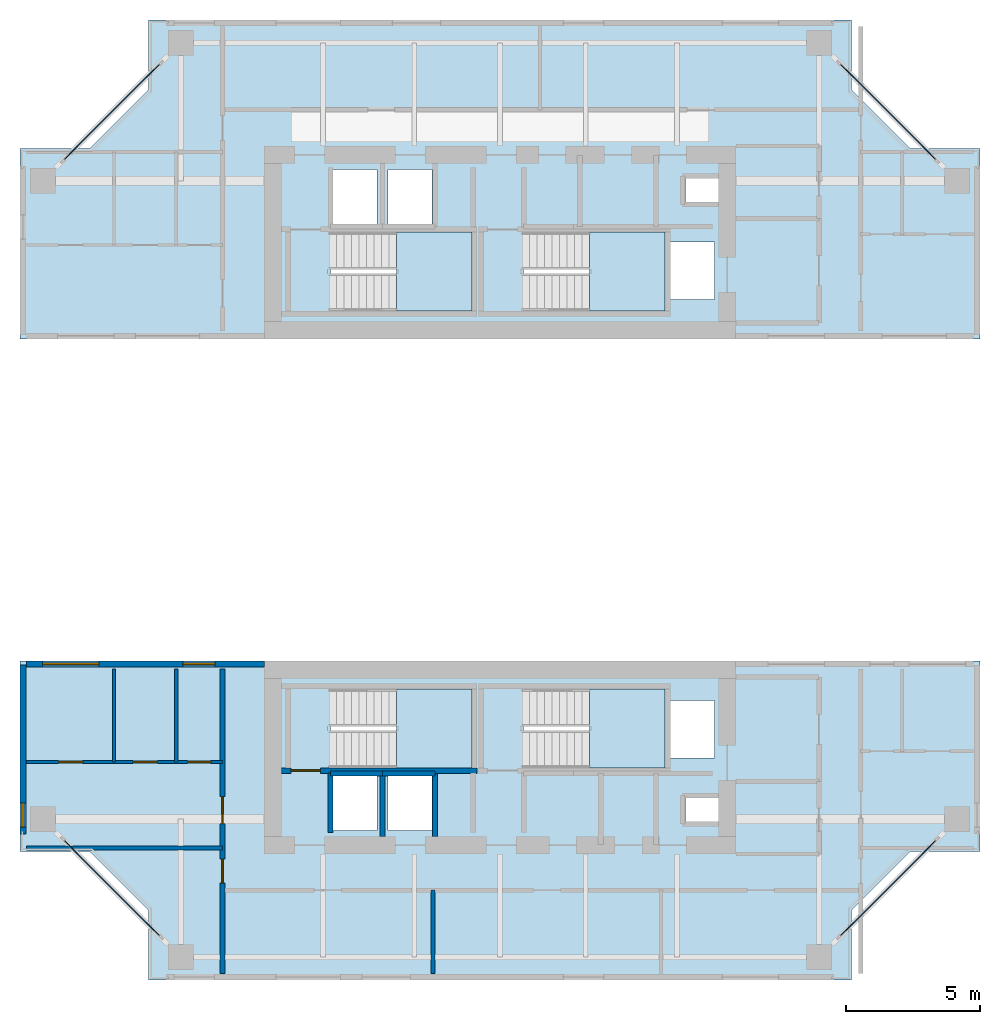
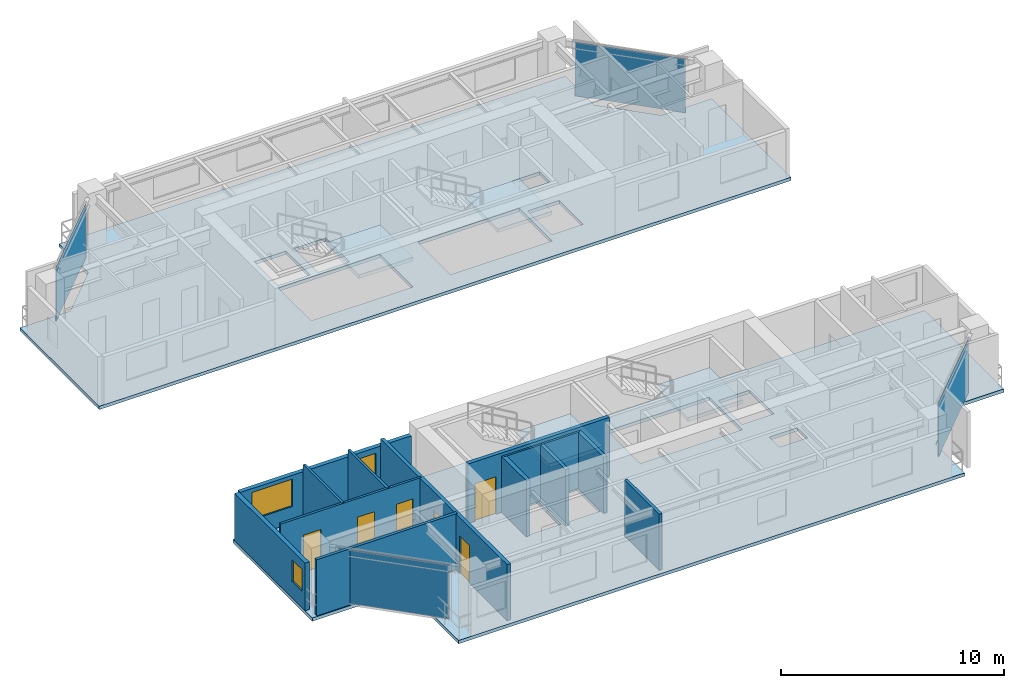
# One storey, part 6 of 12: 14 walls, 6 doors, 6 slabs, 4 plates, 3 windows, 9 openings, 8 elements without a shape of their own.
"""IFC4 building model written with IfcOpenShell, lengths in metres."""

from ifc_helpers import new_model, si_unit, direction, frame, frame_2d, origin, origin_2d, place, context, subcontext, project, spatial, polyline, rectangle, outline, extrude, source, transform, mapped, material, layer, layer_set, type_object, element, fill, aggregate, save


model = new_model("IFC4")

# Units and contexts
model_context = context("Model", 3, precision=1e-05, world=origin(), true_north=direction((0.0, 1.0)))
body_context = subcontext(model_context, "Body", "Model", "MODEL_VIEW")
ifc_project = project(units=[si_unit("LENGTHUNIT", "METRE"), si_unit("AREAUNIT", "SQUARE_METRE"), si_unit("VOLUMEUNIT", "CUBIC_METRE"), si_unit("PLANEANGLEUNIT", "RADIAN"), si_unit("MASSUNIT", "GRAM", prefix="KILO"), si_unit("THERMODYNAMICTEMPERATUREUNIT", "KELVIN"), si_unit("POWERUNIT", "WATT")], contexts=[model_context])

# Site, building, storey
site_placement = place(None, origin())
site = spatial("IfcSite", under=ifc_project, at=site_placement, CompositionType="ELEMENT")
building_placement = place(site_placement, origin())
building = spatial("IfcBuilding", under=site, at=building_placement, Name="Qiaomeng Ring Towers", CompositionType="ELEMENT")
storey_placement = place(building_placement, frame((0.0, 0.0, 160.0)))
storey = spatial("IfcBuildingStorey", under=building, at=storey_placement, Name="L46", CompositionType="ELEMENT", Elevation=160.0)

# Slabs
ifc_material_1 = material(Name="Concrete C40", Category="concrete")
ifc_layer_1 = layer(ifc_material_1, 0.179931640625, Name="Concrete C40")
ifc_layer_set_1 = layer_set([ifc_layer_1], Name="Concrete C40")
slab_type_1 = type_object("IfcSlabType", Name="STR-SL-180", PredefinedType="FLOOR", material=ifc_layer_set_1)
slab_1_placement = place(storey_placement, frame((0.0, 0.0, -0.179931640625)))
element("IfcSlab", 1, at=slab_1_placement, inside=storey, type_object=slab_type_1, Name="L46 Tower 1 North Portal Wing Slab", PredefinedType="FLOOR", context=body_context, shape_type="SweptSolid", body=[
    extrude(outline(polyline([(1.10009765625, 36.10009765625), (3.699951171875, 36.10009765625), (5.89990234375, 38.300048828125), (5.89990234375, 40.89990234375), (32.10009765625, 40.89990234375), (32.10009765625, 38.300048828125), (34.300048828125, 36.10009765625), (36.89990234375, 36.10009765625), (36.89990234375, 29.0), (1.10009765625, 29.0), (1.10009765625, 36.10009765625)]), holes=[polyline([(17.949951171875, 30.050048828125), (12.679931640625, 30.050048828125), (12.679931640625, 32.989990234375), (17.949951171875, 32.989990234375), (17.949951171875, 30.050048828125)]), polyline([(19.8798828125, 30.050048828125), (19.8798828125, 32.989990234375), (25.14990234375, 32.989990234375), (25.14990234375, 30.050048828125), (19.8798828125, 30.050048828125)]), polyline([(25.360107421875, 30.47998046875), (25.360107421875, 32.6201171875), (27.0, 32.6201171875), (27.0, 30.47998046875), (25.360107421875, 30.47998046875)]), polyline([(14.419921875, 33.179931640625), (12.780029296875, 33.179931640625), (12.780029296875, 35.320068359375), (14.419921875, 35.320068359375), (14.419921875, 33.179931640625)]), polyline([(14.830078125, 33.179931640625), (14.830078125, 35.320068359375), (16.469970703125, 35.320068359375), (16.469970703125, 33.179931640625), (14.830078125, 33.179931640625)]), polyline([(25.919921875, 34.10009765625), (25.919921875, 35.0), (27.360107421875, 35.0), (27.360107421875, 34.10009765625), (25.919921875, 34.10009765625)])]), origin(), (0.0, 0.0, 1.0), 0.179931640625),
])
slab_2_placement = place(storey_placement, frame((0.0, 0.0, -0.179931640625)))
element("IfcSlab", 2, at=slab_2_placement, inside=storey, type_object=slab_type_1, Name="L46 Tower 1 South Portal Wing Slab", PredefinedType="FLOOR", context=body_context, shape_type="SweptSolid", body=[
    extrude(outline(polyline([(36.89990234375, 9.89990234375), (34.300048828125, 9.89990234375), (32.10009765625, 7.699951171875), (32.10009765625, 5.10009765625), (5.89990234375, 5.10009765625), (5.89990234375, 7.699951171875), (3.699951171875, 9.89990234375), (1.10009765625, 9.89990234375), (1.10009765625, 17.0), (36.89990234375, 17.0), (36.89990234375, 9.89990234375)]), holes=[polyline([(27.360107421875, 11.0), (25.919921875, 11.0), (25.919921875, 11.89990234375), (27.360107421875, 11.89990234375), (27.360107421875, 11.0)]), polyline([(12.780029296875, 10.679931640625), (12.780029296875, 12.820068359375), (14.419921875, 12.820068359375), (14.419921875, 10.679931640625), (12.780029296875, 10.679931640625)]), polyline([(14.830078125, 10.679931640625), (14.830078125, 12.820068359375), (16.469970703125, 12.820068359375), (16.469970703125, 10.679931640625), (14.830078125, 10.679931640625)]), polyline([(27.0, 13.3798828125), (25.360107421875, 13.3798828125), (25.360107421875, 15.52001953125), (27.0, 15.52001953125), (27.0, 13.3798828125)]), polyline([(12.679931640625, 13.010009765625), (12.679931640625, 15.949951171875), (17.949951171875, 15.949951171875), (17.949951171875, 13.010009765625), (12.679931640625, 13.010009765625)]), polyline([(19.8798828125, 13.010009765625), (19.8798828125, 15.949951171875), (25.14990234375, 15.949951171875), (25.14990234375, 13.010009765625), (19.8798828125, 13.010009765625)])]), origin(), (0.0, 0.0, 1.0), 0.179931640625),
])

# Stair, slab
ifc_material_2 = material(Name="Precast concrete C40", Category="concrete")
stair_type = type_object("IfcStairType", Name="ARC-ST-325", PredefinedType="HALF_TURN_STAIR", material=ifc_material_2)
stair_1_placement = place(storey_placement, origin())
stair_1 = element("IfcStair", 3, at=stair_1_placement, inside=storey, type_object=stair_type, Name="L46 Tower 1 North Stair 1", PredefinedType="HALF_TURN_STAIR")
ifc_layer_2 = layer(ifc_material_1, 0.199951171875, Name="Concrete C40")
ifc_layer_set_2 = layer_set([ifc_layer_2], Name="Concrete C40")
slab_type_2 = type_object("IfcSlabType", Name="STR-SL-LANDING", PredefinedType="LANDING", material=ifc_layer_set_2)
slab_3_placement = place(storey_placement, frame((0.0, 0.0, 1.425048828125)))
slab_3 = element("IfcSlab", 4, at=slab_3_placement, type_object=slab_type_2, Name="ST1 landing 1", PredefinedType="LANDING", context=body_context, shape_type="SweptSolid", body=[
    extrude(outline(polyline([(15.139892578125, 30.050048828125), (17.949951171875, 30.050048828125), (17.949951171875, 32.989990234375), (15.139892578125, 32.989990234375), (15.139892578125, 30.050048828125)])), origin(), (0.0, 0.0, 1.0), 0.199951171875),
])
aggregate(stair_1, [slab_3])

stair_2_placement = place(storey_placement, origin())
stair_2 = element("IfcStair", 5, at=stair_2_placement, inside=storey, type_object=stair_type, Name="L46 Tower 1 North Stair 2", PredefinedType="HALF_TURN_STAIR")
slab_4_placement = place(storey_placement, frame((0.0, 0.0, 1.425048828125)))
slab_4 = element("IfcSlab", 6, at=slab_4_placement, type_object=slab_type_2, Name="ST2 landing 1", PredefinedType="LANDING", context=body_context, shape_type="SweptSolid", body=[
    extrude(outline(polyline([(22.340087890625, 30.050048828125), (25.14990234375, 30.050048828125), (25.14990234375, 32.989990234375), (22.340087890625, 32.989990234375), (22.340087890625, 30.050048828125)])), origin(), (0.0, 0.0, 1.0), 0.199951171875),
])
aggregate(stair_2, [slab_4])

stair_3_placement = place(storey_placement, origin())
stair_3 = element("IfcStair", 7, at=stair_3_placement, inside=storey, type_object=stair_type, Name="L46 Tower 1 South Stair 3", PredefinedType="HALF_TURN_STAIR")
slab_5_placement = place(storey_placement, frame((0.0, 0.0, 1.425048828125)))
slab_5 = element("IfcSlab", 8, at=slab_5_placement, type_object=slab_type_2, Name="ST3 landing 1", PredefinedType="LANDING", context=body_context, shape_type="SweptSolid", body=[
    extrude(outline(polyline([(15.139892578125, 13.010009765625), (17.949951171875, 13.010009765625), (17.949951171875, 15.949951171875), (15.139892578125, 15.949951171875), (15.139892578125, 13.010009765625)])), origin(), (0.0, 0.0, 1.0), 0.199951171875),
])
aggregate(stair_3, [slab_5])

stair_4_placement = place(storey_placement, origin())
stair_4 = element("IfcStair", 9, at=stair_4_placement, inside=storey, type_object=stair_type, Name="L46 Tower 1 South Stair 4", PredefinedType="HALF_TURN_STAIR")
slab_6_placement = place(storey_placement, frame((0.0, 0.0, 1.425048828125)))
slab_6 = element("IfcSlab", 10, at=slab_6_placement, type_object=slab_type_2, Name="ST4 landing 1", PredefinedType="LANDING", context=body_context, shape_type="SweptSolid", body=[
    extrude(outline(polyline([(22.340087890625, 13.010009765625), (25.14990234375, 13.010009765625), (25.14990234375, 15.949951171875), (22.340087890625, 15.949951171875), (22.340087890625, 13.010009765625)])), origin(), (0.0, 0.0, 1.0), 0.199951171875),
])
aggregate(stair_4, [slab_6])

# Curtain wall, plate
ifc_material_3 = material(Name="Fluorocarbon dark-grey aluminium", Category="aluminium")
ifc_layer_3 = layer(ifc_material_3, 0.14990234375, Name="Fluorocarbon dark-grey aluminium")
ifc_layer_set_3 = layer_set([ifc_layer_3], Name="Fluorocarbon dark-grey aluminium")
curtain_wall_type = type_object("IfcCurtainWallType", Name="ARC-CW-3", PredefinedType="NOTDEFINED", material=ifc_layer_set_3)
curtain_wall_1_placement = place(storey_placement, origin())
curtain_wall_1 = element("IfcCurtainWall", 11, at=curtain_wall_1_placement, inside=storey, type_object=curtain_wall_type, Name="L46 Curtain Wall CW3", PredefinedType="NOTDEFINED")
ifc_material_4 = material(Name="Low-E dark-grey laminated double glazing", Category="glass")
ifc_layer_4 = layer(ifc_material_4, 0.028076171875, Name="Low-E dark-grey laminated double glazing")
ifc_layer_set_4 = layer_set([ifc_layer_4], Name="Low-E dark-grey laminated double glazing")
plate_type = type_object("IfcPlateType", Name="ARC-CWP-DARK", PredefinedType="CURTAIN_PANEL", material=ifc_layer_set_4)
shared_shape_1 = source(origin(), body_context, "Body", "SweptSolid", [
    extrude(rectangle(XDim=5.120849609375, YDim=0.028076171875, at=origin_2d()), origin(), (0.0, 0.0, 1.0), 2.93994140625),
])
plate_1_placement = place(storey_placement, frame((33.47509765625, 8.52490234375, 0.06494140625), z_axis=(0.0, 0.0, 1.0), x_axis=(0.707106781187, 0.707106781187, 0.0)))
plate_1 = element("IfcPlate", 12, at=plate_1_placement, type_object=plate_type, Name="CW3 panel 1.1", PredefinedType="CURTAIN_PANEL", context=body_context, shape_type="MappedRepresentation", body=[
    mapped(shared_shape_1, transform((0.0, 0.0, 0.0), x_axis=(1.0, 0.0, 0.0), y_axis=(0.0, 1.0, 0.0), z_axis=(0.0, 0.0, 1.0), scale=1.0)),
])
aggregate(curtain_wall_1, [plate_1])

curtain_wall_2_placement = place(storey_placement, origin())
curtain_wall_2 = element("IfcCurtainWall", 13, at=curtain_wall_2_placement, inside=storey, type_object=curtain_wall_type, Name="L46 Curtain Wall CW3", PredefinedType="NOTDEFINED")
plate_2_placement = place(storey_placement, frame((33.47509765625, 37.47509765625, 0.06494140625), z_axis=(0.0, 0.0, 1.0), x_axis=(-0.707106781187, 0.707106781187, 0.0)))
plate_2 = element("IfcPlate", 14, at=plate_2_placement, type_object=plate_type, Name="CW3 panel 1.1", PredefinedType="CURTAIN_PANEL", context=body_context, shape_type="MappedRepresentation", body=[
    mapped(shared_shape_1, transform((0.0, 0.0, 0.0), x_axis=(1.0, 0.0, 0.0), y_axis=(0.0, 1.0, 0.0), z_axis=(0.0, 0.0, 1.0), scale=1.0)),
])
aggregate(curtain_wall_2, [plate_2])

curtain_wall_3_placement = place(storey_placement, origin())
curtain_wall_3 = element("IfcCurtainWall", 15, at=curtain_wall_3_placement, inside=storey, type_object=curtain_wall_type, Name="L46 Curtain Wall CW3", PredefinedType="NOTDEFINED")
plate_3_placement = place(storey_placement, frame((4.52490234375, 37.47509765625, 0.06494140625), z_axis=(0.0, 0.0, 1.0), x_axis=(-0.707106781187, -0.707106781187, 0.0)))
plate_3 = element("IfcPlate", 16, at=plate_3_placement, type_object=plate_type, Name="CW3 panel 1.1", PredefinedType="CURTAIN_PANEL", context=body_context, shape_type="MappedRepresentation", body=[
    mapped(shared_shape_1, transform((0.0, 0.0, 0.0), x_axis=(1.0, 0.0, 0.0), y_axis=(0.0, 1.0, 0.0), z_axis=(0.0, 0.0, 1.0), scale=1.0)),
])
aggregate(curtain_wall_3, [plate_3])

curtain_wall_4_placement = place(storey_placement, origin())
curtain_wall_4 = element("IfcCurtainWall", 17, at=curtain_wall_4_placement, inside=storey, type_object=curtain_wall_type, Name="L46 Curtain Wall CW3", PredefinedType="NOTDEFINED")
plate_4_placement = place(storey_placement, frame((4.52490234375, 8.52490234375, 0.06494140625), z_axis=(0.0, 0.0, 1.0), x_axis=(0.707106781187, -0.707106781187, 0.0)))
plate_4 = element("IfcPlate", 18, at=plate_4_placement, type_object=plate_type, Name="CW3 panel 1.1", PredefinedType="CURTAIN_PANEL", context=body_context, shape_type="MappedRepresentation", body=[
    mapped(shared_shape_1, transform((0.0, 0.0, 0.0), x_axis=(1.0, 0.0, 0.0), y_axis=(0.0, 1.0, 0.0), z_axis=(0.0, 0.0, 1.0), scale=1.0)),
])
aggregate(curtain_wall_4, [plate_4])

# Wall, openings, windows
ifc_layer_5 = layer(ifc_material_2, 0.219970703125, Name="Precast concrete C40")
ifc_layer_set_5 = layer_set([ifc_layer_5], Name="Precast concrete C40")
wall_type_1 = type_object("IfcWallType", Name="ARC-WL-EW2", PredefinedType="STANDARD", material=ifc_layer_set_5)
wall_1_placement = place(storey_placement, frame((1.35009765625, 16.889892578125, 0.0), z_axis=(0.0, 0.0, 1.0), x_axis=(1.0, 0.0, 0.0)))
wall_1 = element("IfcWall", 19, at=wall_1_placement, inside=storey, type_object=wall_type_1, Name="L46 Portal Wing Wall SWING-W", PredefinedType="STANDARD", context=body_context, shape_type="SweptSolid", body=[
    extrude(rectangle(XDim=8.869873046875, YDim=0.219970703125, at=frame_2d((4.43505859375, 0.0))), origin(), (0.0, 0.0, 1.0), 2.610107421875),
])
opening_1_placement = place(wall_1_placement, frame((0.594970703125, 0.0, 0.89990234375)))
opening_1 = element("IfcOpeningElement", 20, at=opening_1_placement, cuts=wall_1, Name="Opening WN4", PredefinedType="OPENING", context=body_context, shape_type="SweptSolid", body=[
    extrude(rectangle(XDim=2.10009765625, YDim=1.5, at=frame_2d((1.050048828125, 0.75))), frame((0.0, 0.119873046875, 0.0), z_axis=(0.0, -1.0, 0.0), x_axis=(1.0, 0.0, 0.0)), (0.0, 0.0, 1.0), 0.239990234375),
])
opening_2_placement = place(wall_1_placement, frame((5.824951171875, 0.0, 0.89990234375)))
opening_2 = element("IfcOpeningElement", 21, at=opening_2_placement, cuts=wall_1, Name="Opening WN3", PredefinedType="OPENING", context=body_context, shape_type="SweptSolid", body=[
    extrude(rectangle(XDim=1.199951171875, YDim=1.39990234375, at=frame_2d((0.60009765625, 0.699951171875))), frame((0.0, 0.119873046875, 0.0), z_axis=(0.0, -1.0, 0.0), x_axis=(1.0, 0.0, 0.0)), (0.0, 0.0, 1.0), 0.239990234375),
])
window_type_1 = type_object("IfcWindowType", Name="ARC-WN-4", PartitioningType="TRIPLE_PANEL_VERTICAL", PredefinedType="WINDOW", material=ifc_material_4)
shared_shape_2 = source(origin(), body_context, "Body", "SweptSolid", [
    extrude(rectangle(XDim=2.10009765625, YDim=1.5, at=frame_2d((1.050048828125, 0.75))), frame((0.0, 0.030029296875, 0.0), z_axis=(0.0, -1.0, 0.0), x_axis=(1.0, 0.0, 0.0)), (0.0, 0.0, 1.0), 0.06005859375),
])
window_1_placement = place(opening_1_placement, origin())
window_1 = element("IfcWindow", 22, at=window_1_placement, inside=storey, type_object=window_type_1, Name="L46 Exterior Window WN4", OverallHeight=1.5, OverallWidth=2.10009765625, PartitioningType="TRIPLE_PANEL_VERTICAL", PredefinedType="WINDOW", context=body_context, shape_type="MappedRepresentation", body=[
    mapped(shared_shape_2, transform((0.0, 0.0, 0.0), x_axis=(1.0, 0.0, 0.0), y_axis=(0.0, 1.0, 0.0), z_axis=(0.0, 0.0, 1.0), scale=1.0)),
])
fill(opening_1, window_1)
window_type_2 = type_object("IfcWindowType", Name="ARC-WN-3", PartitioningType="SINGLE_PANEL", PredefinedType="WINDOW", material=ifc_material_4)
shared_shape_3 = source(origin(), body_context, "Body", "SweptSolid", [
    extrude(rectangle(XDim=1.199951171875, YDim=1.39990234375, at=frame_2d((0.60009765625, 0.699951171875))), frame((0.0, 0.030029296875, 0.0), z_axis=(0.0, -1.0, 0.0), x_axis=(1.0, 0.0, 0.0)), (0.0, 0.0, 1.0), 0.06005859375),
])
window_2_placement = place(opening_2_placement, origin())
window_2 = element("IfcWindow", 23, at=window_2_placement, inside=storey, type_object=window_type_2, Name="L46 Exterior Window WN6", OverallHeight=1.39990234375, OverallWidth=1.199951171875, PartitioningType="TRIPLE_PANEL_VERTICAL", PredefinedType="WINDOW", context=body_context, shape_type="MappedRepresentation", body=[
    mapped(shared_shape_3, transform((0.0, 0.0, 0.0), x_axis=(1.0, 0.0, 0.0), y_axis=(0.0, 1.0, 0.0), z_axis=(0.0, 0.0, 1.0), scale=1.0)),
])
fill(opening_2, window_2)

# Wall, opening, window
wall_2_placement = place(storey_placement, frame((1.2099609375, 10.550048828125, 0.0), z_axis=(0.0, 0.0, 1.0), x_axis=(0.0, 1.0, 0.0)))
wall_2 = element("IfcWall", 24, at=wall_2_placement, inside=storey, type_object=wall_type_1, Name="L46 Portal Wing Side Wall SWING-WL", PredefinedType="STANDARD", context=body_context, shape_type="SweptSolid", body=[
    extrude(rectangle(XDim=6.300048828125, YDim=0.219970703125, at=frame_2d((3.14990234375, 0.0))), origin(), (0.0, 0.0, 1.0), 2.610107421875),
])
opening_3_placement = place(wall_2_placement, frame((0.25, 0.0, 0.89990234375)))
opening_3 = element("IfcOpeningElement", 25, at=opening_3_placement, cuts=wall_2, Name="Opening WN5", PredefinedType="OPENING", context=body_context, shape_type="SweptSolid", body=[
    extrude(rectangle(XDim=0.89990234375, YDim=1.199951171875, at=frame_2d((0.449951171875, 0.60009765625))), frame((0.0, 0.119873046875, 0.0), z_axis=(0.0, -1.0, 0.0), x_axis=(1.0, 0.0, 0.0)), (0.0, 0.0, 1.0), 0.239990234375),
])
window_type_3 = type_object("IfcWindowType", Name="ARC-WN-5", PartitioningType="SINGLE_PANEL", PredefinedType="WINDOW", material=ifc_material_4)
shared_shape_4 = source(origin(), body_context, "Body", "SweptSolid", [
    extrude(rectangle(XDim=0.89990234375, YDim=1.199951171875, at=frame_2d((0.449951171875, 0.60009765625))), frame((0.0, 0.030029296875, 0.0), z_axis=(0.0, -1.0, 0.0), x_axis=(1.0, 0.0, 0.0)), (0.0, 0.0, 1.0), 0.06005859375),
])
window_3_placement = place(opening_3_placement, origin())
window_3 = element("IfcWindow", 26, at=window_3_placement, inside=storey, type_object=window_type_3, Name="L46 Exterior Window WN5", OverallHeight=1.199951171875, OverallWidth=0.89990234375, PartitioningType="SINGLE_PANEL", PredefinedType="WINDOW", context=body_context, shape_type="MappedRepresentation", body=[
    mapped(shared_shape_4, transform((0.0, 0.0, 0.0), x_axis=(1.0, 0.0, 0.0), y_axis=(0.0, 1.0, 0.0), z_axis=(0.0, 0.0, 1.0), scale=1.0)),
])
fill(opening_3, window_3)

# Wall
ifc_material_5 = material(Name="Autoclaved aerated concrete block", Category="concrete")
ifc_layer_6 = layer(ifc_material_5, 0.199951171875, Name="Autoclaved aerated concrete block")
ifc_layer_set_6 = layer_set([ifc_layer_6], Name="Autoclaved aerated concrete block")
wall_type_2 = type_object("IfcWallType", Name="ARC-WL-PW1", PredefinedType="PARTITIONING", material=ifc_layer_set_6)
wall_3_placement = place(storey_placement, frame((12.679931640625, 10.60009765625, 0.0), z_axis=(0.0, 0.0, 1.0), x_axis=(0.0, 1.0, 0.0)))
element("IfcWall", 27, at=wall_3_placement, inside=storey, type_object=wall_type_2, Name="L46 Interior Wall PW1", PredefinedType="PARTITIONING", context=body_context, shape_type="SweptSolid", body=[
    extrude(rectangle(XDim=2.2099609375, YDim=0.199951171875, at=frame_2d((1.10498046875, 0.0))), origin(), (0.0, 0.0, 1.0), 3.070068359375),
])

# Wall, openings, doors
ifc_layer_7 = layer(ifc_material_5, 0.179931640625, Name="Autoclaved aerated concrete block")
ifc_layer_set_7 = layer_set([ifc_layer_7], Name="Autoclaved aerated concrete block")
wall_type_3 = type_object("IfcWallType", Name="ARC-WL-PW2", PredefinedType="PARTITIONING", material=ifc_layer_set_7)
wall_4_placement = place(storey_placement, frame((8.64990234375, 5.35009765625, 0.0), z_axis=(0.0, 0.0, 1.0), x_axis=(0.0, 1.0, 0.0)))
wall_4 = element("IfcWall", 28, at=wall_4_placement, inside=storey, type_object=wall_type_3, Name="L46 Interior Wall PW2", PredefinedType="PARTITIONING", context=body_context, shape_type="SweptSolid", body=[
    extrude(rectangle(XDim=11.349853515625, YDim=0.179931640625, at=frame_2d((5.6748046875, 0.0))), origin(), (0.0, 0.0, 1.0), 3.070068359375),
])
opening_4_placement = place(wall_4_placement, frame((3.360107421875, 0.0, 0.0)))
opening_4 = element("IfcOpeningElement", 29, at=opening_4_placement, cuts=wall_4, Name="Opening ID1", PredefinedType="OPENING", context=body_context, shape_type="SweptSolid", body=[
    extrude(rectangle(XDim=0.89990234375, YDim=2.050048828125, at=frame_2d((0.449951171875, 1.02490234375))), frame((0.0, 0.099853515625, 0.0), z_axis=(0.0, -1.0, 0.0), x_axis=(1.0, 0.0, 0.0)), (0.0, 0.0, 1.0), 0.199951171875),
])
opening_5_placement = place(wall_4_placement, frame((5.5849609375, 0.0, 0.0)))
opening_5 = element("IfcOpeningElement", 30, at=opening_5_placement, cuts=wall_4, Name="Opening FD4", PredefinedType="OPENING", context=body_context, shape_type="SweptSolid", body=[
    extrude(rectangle(XDim=1.0, YDim=2.050048828125, at=frame_2d((0.5, 1.02490234375))), frame((0.0, 0.099853515625, 0.0), z_axis=(0.0, -1.0, 0.0), x_axis=(1.0, 0.0, 0.0)), (0.0, 0.0, 1.0), 0.199951171875),
])
ifc_material_6 = material(Name="Engineered fire-rated oak timber", Category="wood")
door_type_1 = type_object("IfcDoorType", Name="ARC-DR-FD4", OperationType="NOTDEFINED", PredefinedType="DOOR", material=ifc_material_6)
shared_shape_5 = source(origin(), body_context, "Body", "SweptSolid", [
    extrude(rectangle(XDim=1.0, YDim=2.050048828125, at=frame_2d((0.5, 1.02490234375))), frame((0.0, 0.02490234375, 0.0), z_axis=(0.0, -1.0, 0.0), x_axis=(1.0, 0.0, 0.0)), (0.0, 0.0, 1.0), 0.050048828125),
])
door_1_placement = place(opening_5_placement, origin())
door_1 = element("IfcDoor", 31, at=door_1_placement, inside=storey, type_object=door_type_1, Name="L46 Door FD4", OperationType="SINGLE_SWING_LEFT", OverallHeight=2.050048828125, OverallWidth=1.0, PredefinedType="DOOR", context=body_context, shape_type="MappedRepresentation", body=[
    mapped(shared_shape_5, transform((0.0, 0.0, 0.0), x_axis=(1.0, 0.0, 0.0), y_axis=(0.0, 1.0, 0.0), z_axis=(0.0, 0.0, 1.0), scale=1.0)),
])
fill(opening_5, door_1)
ifc_material_7 = material(Name="Engineered oak timber", Category="wood")
door_type_2 = type_object("IfcDoorType", Name="ARC-DR-ID1", OperationType="NOTDEFINED", PredefinedType="DOOR", material=ifc_material_7)
shared_shape_6 = source(origin(), body_context, "Body", "SweptSolid", [
    extrude(rectangle(XDim=0.89990234375, YDim=2.050048828125, at=frame_2d((0.449951171875, 1.02490234375))), frame((0.0, 0.02490234375, 0.0), z_axis=(0.0, -1.0, 0.0), x_axis=(1.0, 0.0, 0.0)), (0.0, 0.0, 1.0), 0.050048828125),
])
door_2_placement = place(opening_4_placement, origin())
door_2 = element("IfcDoor", 32, at=door_2_placement, inside=storey, type_object=door_type_2, Name="L46 Door ID1", OperationType="SINGLE_SWING_RIGHT", OverallHeight=2.050048828125, OverallWidth=0.89990234375, PredefinedType="DOOR", context=body_context, shape_type="MappedRepresentation", body=[
    mapped(shared_shape_6, transform((0.0, 0.0, 0.0), x_axis=(1.0, 0.0, 0.0), y_axis=(0.0, 1.0, 0.0), z_axis=(0.0, 0.0, 1.0), scale=1.0)),
])
fill(opening_4, door_2)

# Walls
ifc_material_8 = material(Name="Gypsum fireboard steel-stud partition", Category="steel")
ifc_layer_8 = layer(ifc_material_8, 0.14990234375, Name="Gypsum fireboard steel-stud partition")
ifc_layer_set_8 = layer_set([ifc_layer_8], Name="Gypsum fireboard steel-stud partition")
wall_type_4 = type_object("IfcWallType", Name="ARC-WL-PW3", PredefinedType="PARTITIONING", material=ifc_layer_set_8)
wall_5_placement = place(storey_placement, frame((1.35009765625, 10.02001953125, 0.0), z_axis=(0.0, 0.0, 1.0), x_axis=(1.0, 0.0, 0.0)))
element("IfcWall", 33, at=wall_5_placement, inside=storey, type_object=wall_type_4, Name="L46 Interior Wall PW3", PredefinedType="PARTITIONING", context=body_context, shape_type="SweptSolid", body=[
    extrude(rectangle(XDim=7.2998046875, YDim=0.14990234375, at=frame_2d((3.64990234375, 0.0))), origin(), (0.0, 0.0, 1.0), 3.070068359375),
])
wall_6_placement = place(storey_placement, frame((16.5, 5.35009765625, 0.0), z_axis=(0.0, 0.0, 1.0), x_axis=(0.0, 1.0, 0.0)))
element("IfcWall", 34, at=wall_6_placement, inside=storey, type_object=wall_type_4, Name="L46 Interior Wall PW3", PredefinedType="PARTITIONING", context=body_context, shape_type="SweptSolid", body=[
    extrude(rectangle(XDim=3.099853515625, YDim=0.14990234375, at=frame_2d((1.5498046875, 0.0))), origin(), (0.0, 0.0, 1.0), 3.070068359375),
])

# Wall, openings, doors
ifc_material_9 = material(Name="Moisture-resistant gypsum steel-stud partition", Category="steel")
ifc_layer_9 = layer(ifc_material_9, 0.1201171875, Name="Moisture-resistant gypsum steel-stud partition")
ifc_layer_set_9 = layer_set([ifc_layer_9], Name="Moisture-resistant gypsum steel-stud partition")
wall_type_5 = type_object("IfcWallType", Name="ARC-WL-PW4", PredefinedType="PLUMBINGWALL", material=ifc_layer_set_9)
wall_7_placement = place(storey_placement, frame((1.35009765625, 13.22998046875, 0.0), z_axis=(0.0, 0.0, 1.0), x_axis=(1.0, 0.0, 0.0)))
wall_7 = element("IfcWall", 35, at=wall_7_placement, inside=storey, type_object=wall_type_5, Name="L46 Interior Wall PW4", PredefinedType="PLUMBINGWALL", context=body_context, shape_type="SweptSolid", body=[
    extrude(rectangle(XDim=7.2998046875, YDim=0.1201171875, at=frame_2d((3.64990234375, 0.0))), origin(), (0.0, 0.0, 1.0), 3.070068359375),
])
opening_6_placement = place(wall_7_placement, frame((1.18994140625, 0.0, 0.0)))
opening_6 = element("IfcOpeningElement", 36, at=opening_6_placement, cuts=wall_7, Name="Opening ID1", PredefinedType="OPENING", context=body_context, shape_type="SweptSolid", body=[
    extrude(rectangle(XDim=0.89990234375, YDim=2.050048828125, at=frame_2d((0.449951171875, 1.02490234375))), frame((0.0, 0.070068359375, 0.0), z_axis=(0.0, -1.0, 0.0), x_axis=(1.0, 0.0, 0.0)), (0.0, 0.0, 1.0), 0.14013671875),
])
opening_7_placement = place(wall_7_placement, frame((3.969970703125, 0.0, 0.0)))
opening_7 = element("IfcOpeningElement", 37, at=opening_7_placement, cuts=wall_7, Name="Opening ID1", PredefinedType="OPENING", context=body_context, shape_type="SweptSolid", body=[
    extrude(rectangle(XDim=0.89990234375, YDim=2.050048828125, at=frame_2d((0.449951171875, 1.02490234375))), frame((0.0, 0.070068359375, 0.0), z_axis=(0.0, -1.0, 0.0), x_axis=(1.0, 0.0, 0.0)), (0.0, 0.0, 1.0), 0.14013671875),
])
opening_8_placement = place(wall_7_placement, frame((6.0048828125, 0.0, 0.0)))
opening_8 = element("IfcOpeningElement", 38, at=opening_8_placement, cuts=wall_7, Name="Opening ID2", PredefinedType="OPENING", context=body_context, shape_type="SweptSolid", body=[
    extrude(rectangle(XDim=0.85009765625, YDim=2.050048828125, at=frame_2d((0.425048828125, 1.02490234375))), frame((0.0, 0.070068359375, 0.0), z_axis=(0.0, -1.0, 0.0), x_axis=(1.0, 0.0, 0.0)), (0.0, 0.0, 1.0), 0.14013671875),
])
ifc_material_10 = material(Name="Moisture-resistant engineered timber", Category="wood")
door_type_3 = type_object("IfcDoorType", Name="ARC-DR-ID2", OperationType="NOTDEFINED", PredefinedType="DOOR", material=ifc_material_10)
shared_shape_7 = source(origin(), body_context, "Body", "SweptSolid", [
    extrude(rectangle(XDim=0.85009765625, YDim=2.050048828125, at=frame_2d((0.425048828125, 1.02490234375))), frame((0.0, 0.02490234375, 0.0), z_axis=(0.0, -1.0, 0.0), x_axis=(1.0, 0.0, 0.0)), (0.0, 0.0, 1.0), 0.050048828125),
])
door_3_placement = place(opening_8_placement, origin())
door_3 = element("IfcDoor", 39, at=door_3_placement, inside=storey, type_object=door_type_3, Name="L46 Door ID2", OperationType="SINGLE_SWING_LEFT", OverallHeight=2.050048828125, OverallWidth=0.85009765625, PredefinedType="DOOR", context=body_context, shape_type="MappedRepresentation", body=[
    mapped(shared_shape_7, transform((0.0, 0.0, 0.0), x_axis=(1.0, 0.0, 0.0), y_axis=(0.0, 1.0, 0.0), z_axis=(0.0, 0.0, 1.0), scale=1.0)),
])
fill(opening_8, door_3)
door_4_placement = place(opening_6_placement, origin())
door_4 = element("IfcDoor", 40, at=door_4_placement, inside=storey, type_object=door_type_2, Name="L46 Door ID1", OperationType="SINGLE_SWING_LEFT", OverallHeight=2.050048828125, OverallWidth=0.89990234375, PredefinedType="DOOR", context=body_context, shape_type="MappedRepresentation", body=[
    mapped(shared_shape_6, transform((0.0, 0.0, 0.0), x_axis=(1.0, 0.0, 0.0), y_axis=(0.0, 1.0, 0.0), z_axis=(0.0, 0.0, 1.0), scale=1.0)),
])
fill(opening_6, door_4)
door_5_placement = place(opening_7_placement, origin())
door_5 = element("IfcDoor", 41, at=door_5_placement, inside=storey, type_object=door_type_2, Name="L46 Door ID1", OperationType="SINGLE_SWING_RIGHT", OverallHeight=2.050048828125, OverallWidth=0.89990234375, PredefinedType="DOOR", context=body_context, shape_type="MappedRepresentation", body=[
    mapped(shared_shape_6, transform((0.0, 0.0, 0.0), x_axis=(1.0, 0.0, 0.0), y_axis=(0.0, 1.0, 0.0), z_axis=(0.0, 0.0, 1.0), scale=1.0)),
])
fill(opening_7, door_5)

# Walls
for number, where, z_axis, x_axis, name in (
    (42, (4.610107421875, 13.22998046875, 0.0), (0.0, 0.0, 1.0), (0.0, 1.0, 0.0), "L46 Interior Wall PW4"),
    (43, (6.929931640625, 13.22998046875, 0.0), (0.0, 0.0, 1.0), (0.0, 1.0, 0.0), "L46 Interior Wall PW4"),
):
    element("IfcWall", number, at=place(storey_placement, frame(where, z_axis=z_axis, x_axis=x_axis)), inside=storey, type_object=wall_type_5, Name=name, PredefinedType="PLUMBINGWALL", context=body_context, shape_type="SweptSolid", body=[
        extrude(rectangle(XDim=3.469970703125, YDim=0.1201171875, at=frame_2d((1.73486328125, 0.0))), origin(), (0.0, 0.0, 1.0), 3.070068359375),
    ])
ifc_layer_10 = layer(ifc_material_1, 0.199951171875, Name="Concrete C40")
ifc_layer_set_10 = layer_set([ifc_layer_10], Name="Concrete C40")
wall_type_6 = type_object("IfcWallType", Name="STR-WL-STSHAFT", PredefinedType="SHEAR", material=ifc_layer_set_10)
wall_8_placement = place(storey_placement, frame((12.679931640625, 12.800048828125, 0.0), z_axis=(0.0, 0.0, 1.0), x_axis=(1.0, 0.0, 0.0)))
element("IfcWall", 44, at=wall_8_placement, inside=storey, type_object=wall_type_6, Name="L46 Lift LP6 Shaft Back Wall", PredefinedType="SHEAR", context=body_context, shape_type="SweptSolid", body=[
    extrude(rectangle(XDim=1.940185546875, YDim=0.179931640625, at=frame_2d((0.97021484375, 0.0))), origin(), (0.0, 0.0, 1.0), 3.070068359375),
])
wall_9_placement = place(storey_placement, frame((14.6201171875, 10.449951171875, 0.0), z_axis=(0.0, 0.0, 1.0), x_axis=(0.0, 1.0, 0.0)))
element("IfcWall", 45, at=wall_9_placement, inside=storey, type_object=wall_type_6, Name="L46 Lift LP6-LP4 Shaft Divider Wall", PredefinedType="SHEAR", context=body_context, shape_type="SweptSolid", body=[
    extrude(rectangle(XDim=2.35009765625, YDim=0.179931640625, at=frame_2d((1.175048828125, 0.0))), origin(), (0.0, 0.0, 1.0), 3.070068359375),
])
wall_10_placement = place(storey_placement, frame((14.6201171875, 12.800048828125, 0.0), z_axis=(0.0, 0.0, 1.0), x_axis=(1.0, 0.0, 0.0)))
element("IfcWall", 46, at=wall_10_placement, inside=storey, type_object=wall_type_6, Name="L46 Lift LP4 Shaft Back Wall", PredefinedType="SHEAR", context=body_context, shape_type="SweptSolid", body=[
    extrude(rectangle(XDim=1.9599609375, YDim=0.179931640625, at=frame_2d((0.97998046875, 0.0))), origin(), (0.0, 0.0, 1.0), 3.070068359375),
])
wall_11_placement = place(storey_placement, frame((16.580078125, 10.449951171875, 0.0), z_axis=(0.0, 0.0, 1.0), x_axis=(0.0, 1.0, 0.0)))
element("IfcWall", 47, at=wall_11_placement, inside=storey, type_object=wall_type_6, Name="L46 Lift LP4 East Shaft Wall", PredefinedType="SHEAR", context=body_context, shape_type="SweptSolid", body=[
    extrude(rectangle(XDim=2.35009765625, YDim=0.179931640625, at=frame_2d((1.175048828125, 0.0))), origin(), (0.0, 0.0, 1.0), 3.070068359375),
])

# Wall, opening, door
wall_12_placement = place(storey_placement, frame((10.85009765625, 12.909912109375, 0.0), z_axis=(0.0, 0.0, 1.0), x_axis=(1.0, 0.0, 0.0)))
wall_12 = element("IfcWall", 48, at=wall_12_placement, inside=storey, type_object=wall_type_6, Name="L46 Stair ST3 South Shaft Shear Wall", PredefinedType="SHEAR", context=body_context, shape_type="SweptSolid", body=[
    extrude(rectangle(XDim=7.2998046875, YDim=0.199951171875, at=frame_2d((3.64990234375, 0.0))), origin(), (0.0, 0.0, 1.0), 3.25),
])
opening_9_placement = place(wall_12_placement, frame((0.35009765625, 0.0, 0.0)))
opening_9 = element("IfcOpeningElement", 49, at=opening_9_placement, cuts=wall_12, Name="Opening FD3", PredefinedType="OPENING", context=body_context, shape_type="SweptSolid", body=[
    extrude(rectangle(XDim=1.10009765625, YDim=2.050048828125, at=frame_2d((0.550048828125, 1.02490234375))), frame((0.0, 0.10986328125, 0.0), z_axis=(0.0, -1.0, 0.0), x_axis=(1.0, 0.0, 0.0)), (0.0, 0.0, 1.0), 0.219970703125),
])
ifc_material_11 = material(Name="Galvanised steel", Category="steel")
door_type_4 = type_object("IfcDoorType", Name="ARC-DR-FD3", OperationType="NOTDEFINED", PredefinedType="DOOR", material=ifc_material_11)
shared_shape_8 = source(origin(), body_context, "Body", "SweptSolid", [
    extrude(rectangle(XDim=1.10009765625, YDim=2.050048828125, at=frame_2d((0.550048828125, 1.02490234375))), frame((0.0, 0.02490234375, 0.0), z_axis=(0.0, -1.0, 0.0), x_axis=(1.0, 0.0, 0.0)), (0.0, 0.0, 1.0), 0.050048828125),
])
door_6_placement = place(opening_9_placement, frame((1.10009765625, 0.0, 0.0), z_axis=(0.0, 0.0, 1.0), x_axis=(-1.0, 0.0, 0.0)))
door_6 = element("IfcDoor", 50, at=door_6_placement, inside=storey, type_object=door_type_4, Name="L46 Stair ST3 Exit Door", OperationType="SINGLE_SWING_LEFT", OverallHeight=2.050048828125, OverallWidth=1.10009765625, PredefinedType="DOOR", context=body_context, shape_type="MappedRepresentation", body=[
    mapped(shared_shape_8, transform((0.0, 0.0, 0.0), x_axis=(1.0, 0.0, 0.0), y_axis=(0.0, 1.0, 0.0), z_axis=(0.0, 0.0, 1.0), scale=1.0)),
])
fill(opening_9, door_6)

save(model, "model.ifc")
